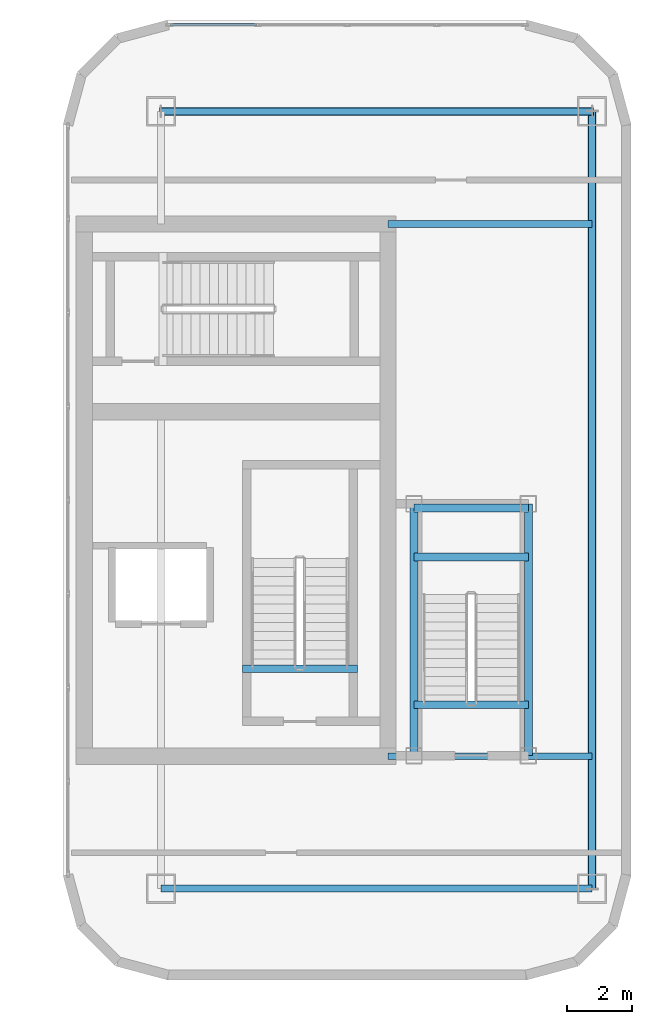
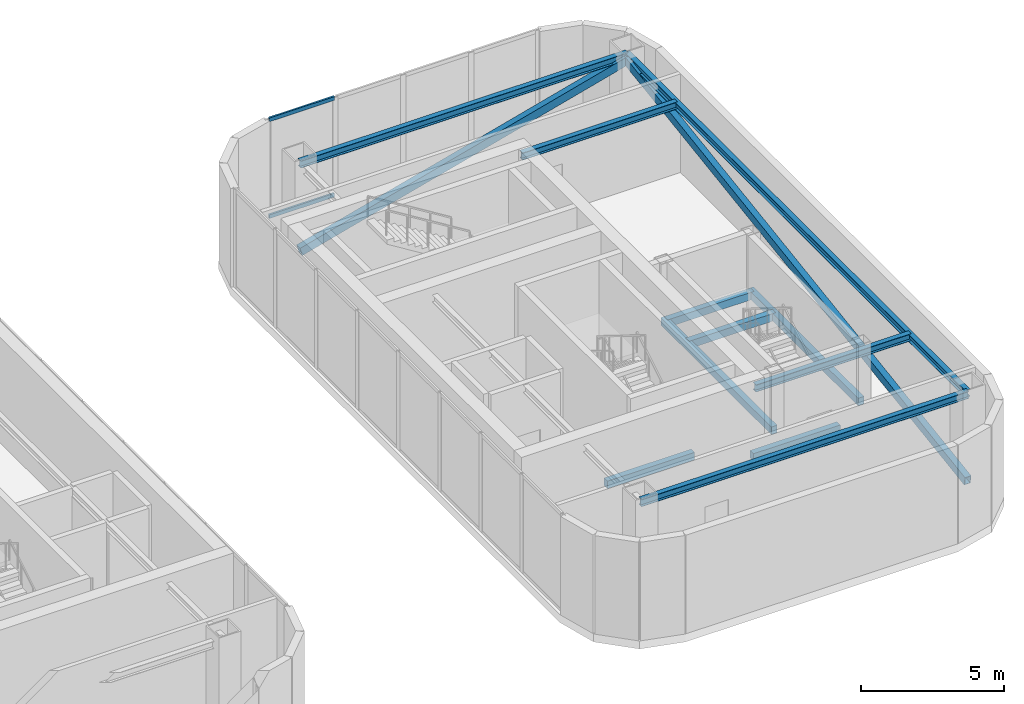
# One storey, part 6 of 14: 11 beams, 4 members, 1 element without a shape of its own.
"""IFC4 building model written with IfcOpenShell, lengths in metres."""

from ifc_helpers import new_model, si_unit, direction, frame, origin, origin_2d, place, context, subcontext, project, spatial, rectangle, hollow_rectangle, i_section, extrude, material, layer, layer_set, material_profile, profile_set, type_object, element, aggregate, save


model = new_model("IFC4")

# Units and contexts
model_context = context("Model", 3, precision=1e-05, world=origin(), true_north=direction((0.0, 1.0)))
body_context = subcontext(model_context, "Body", "Model", "MODEL_VIEW")
ifc_project = project(units=[si_unit("LENGTHUNIT", "METRE"), si_unit("AREAUNIT", "SQUARE_METRE"), si_unit("VOLUMEUNIT", "CUBIC_METRE"), si_unit("PLANEANGLEUNIT", "RADIAN"), si_unit("MASSUNIT", "GRAM", prefix="KILO")], contexts=[model_context])

# Site, building, storey
site_placement = place(None, origin())
site = spatial("IfcSite", under=ifc_project, at=site_placement, CompositionType="ELEMENT")
building_placement = place(site_placement, origin())
building = spatial("IfcBuilding", under=site, at=building_placement, Name="Kiyonajd Concourse Tower", CompositionType="ELEMENT")
storey_placement = place(building_placement, frame((0.0, 0.0, 359.39990234375)))
storey = spatial("IfcBuildingStorey", under=building, at=storey_placement, Name="L90", CompositionType="ELEMENT", Elevation=359.39990234375)

# Beams
ifc_material_1 = material(Name="Steel ASTM A992 Grade 50", Category="steel")
ifc_material_profile_1 = material_profile(ifc_material_1, i_section(OverallWidth=0.2041015625, OverallDepth=0.305908203125, WebThickness=0.008544921875, FlangeThickness=0.0146484375, at=origin_2d()), Name="W310X67")
ifc_profile_set_1 = profile_set([ifc_material_profile_1], Name="Steel ASTM A992 Grade 50")
beam_type_1 = type_object("IfcBeamType", Name="BM-CRN-310", PredefinedType="BEAM", material=ifc_profile_set_1)
beam_1_placement = place(storey_placement, frame((56.39990234375, 23.800048828125, 4.007080078125), z_axis=(1.0, 0.0, 0.0), x_axis=(0.0, 1.0, 0.0)))
element("IfcBeam", 1, at=beam_1_placement, inside=storey, type_object=beam_type_1, Name="L90 E Crown Ring Beam 1", PredefinedType="BEAM", context=body_context, shape_type="SweptSolid", body=[
    extrude(i_section(OverallWidth=0.2041015625, OverallDepth=0.305908203125, WebThickness=0.008544921875, FlangeThickness=0.0146484375, at=origin_2d()), origin(), (0.0, 0.0, 1.0), 13.2001953125),
])
beam_2_placement = place(storey_placement, frame((69.60009765625, 23.800048828125, 4.007080078125), z_axis=(0.0, 1.0, 0.0), x_axis=(-1.0, 0.0, 0.0)))
element("IfcBeam", 2, at=beam_2_placement, inside=storey, type_object=beam_type_1, Name="L90 E Crown Ring Beam 2", PredefinedType="BEAM", context=body_context, shape_type="SweptSolid", body=[
    extrude(i_section(OverallWidth=0.2041015625, OverallDepth=0.305908203125, WebThickness=0.008544921875, FlangeThickness=0.0146484375, at=origin_2d()), origin(), (0.0, 0.0, 1.0), 23.800048828125),
])
beam_3_placement = place(storey_placement, frame((69.60009765625, 47.60009765625, 4.007080078125), z_axis=(-1.0, 0.0, 0.0), x_axis=(0.0, -1.0, 0.0)))
element("IfcBeam", 3, at=beam_3_placement, inside=storey, type_object=beam_type_1, Name="L90 E Crown Ring Beam 3", PredefinedType="BEAM", context=body_context, shape_type="SweptSolid", body=[
    extrude(i_section(OverallWidth=0.2041015625, OverallDepth=0.305908203125, WebThickness=0.008544921875, FlangeThickness=0.0146484375, at=origin_2d()), origin(), (0.0, 0.0, 1.0), 13.2001953125),
])
for number, where, z_axis, x_axis, name in (
    (4, (63.35009765625, 27.85009765625, 4.007080078125), (1.0, 0.0, 0.0), (0.0, 1.0, 0.0), "L90 E Crown Core Tie South"),
    (5, (63.35009765625, 44.14990234375, 4.007080078125), (1.0, 0.0, 0.0), (0.0, 1.0, 0.0), "L90 E Crown Core Tie North"),
):
    element("IfcBeam", number, at=place(storey_placement, frame(where, z_axis=z_axis, x_axis=x_axis)), inside=storey, type_object=beam_type_1, Name=name, PredefinedType="BEAM", context=body_context, shape_type="SweptSolid", body=[
        extrude(i_section(OverallWidth=0.2041015625, OverallDepth=0.305908203125, WebThickness=0.008544921875, FlangeThickness=0.0146484375, at=origin_2d()), origin(), (0.0, 0.0, 1.0), 6.25),
    ])
ifc_material_2 = material(Name="Concrete C50/60", Category="concrete")
ifc_material_profile_2 = material_profile(ifc_material_2, rectangle(XDim=0.239990234375, YDim=0.320068359375, at=origin_2d()), Name="RCBM-240x320")
ifc_profile_set_2 = profile_set([ifc_material_profile_2], Name="Concrete C50/60")
beam_type_2 = type_object("IfcBeamType", Name="BM-LNT-250", PredefinedType="LINTEL", material=ifc_profile_set_2)
beam_4_placement = place(storey_placement, frame((58.889892578125, 30.530029296875, -0.159912109375), z_axis=(1.0, 0.0, 0.0), x_axis=(0.0, 1.0, 0.0)))
element("IfcBeam", 6, at=beam_4_placement, inside=storey, type_object=beam_type_2, Name="L90 Stair ST2 Threshold Support Beam", PredefinedType="LINTEL", context=body_context, shape_type="SweptSolid", body=[
    extrude(rectangle(XDim=0.239990234375, YDim=0.320068359375, at=origin_2d()), origin(), (0.0, 0.0, 1.0), 3.52001953125),
])
for number, where, z_axis, x_axis, name in (
    (7, (64.14990234375, 29.429931640625, -0.159912109375), (1.0, 0.0, 0.0), (0.0, 1.0, 0.0), "L90 Stair ST6 Threshold Support Beam"),
    (8, (64.14990234375, 33.949951171875, 1.89013671875), (1.0, 0.0, 0.0), (0.0, 1.0, 0.0), "L90 Stair ST6 Landing Support Beam"),
    (9, (64.14990234375, 35.449951171875, 1.89013671875), (1.0, 0.0, 0.0), (0.0, 1.0, 0.0), "L90 Stair ST6 Landing Support Beam"),
):
    element("IfcBeam", number, at=place(storey_placement, frame(where, z_axis=z_axis, x_axis=x_axis)), inside=storey, type_object=beam_type_2, Name=name, PredefinedType="LINTEL", context=body_context, shape_type="SweptSolid", body=[
        extrude(rectangle(XDim=0.239990234375, YDim=0.320068359375, at=origin_2d()), origin(), (0.0, 0.0, 1.0), 3.5),
    ])
for number, where, z_axis, x_axis, name in (
    (10, (64.14990234375, 27.8701171875, 1.89013671875), (0.0, 1.0, 0.0), (-1.0, 0.0, 0.0), "L90 Stair ST6 Side Stringer Beam"),
    (11, (67.64990234375, 27.8701171875, 1.89013671875), (0.0, 1.0, 0.0), (-1.0, 0.0, 0.0), "L90 Stair ST6 Side Stringer Beam"),
):
    element("IfcBeam", number, at=place(storey_placement, frame(where, z_axis=z_axis, x_axis=x_axis)), inside=storey, type_object=beam_type_2, Name=name, PredefinedType="LINTEL", context=body_context, shape_type="SweptSolid", body=[
        extrude(rectangle(XDim=0.239990234375, YDim=0.320068359375, at=origin_2d()), origin(), (0.0, 0.0, 1.0), 7.7099609375),
    ])

# Members
ifc_material_3 = material(Name="Steel ASTM A500 Grade C", Category="steel")
ifc_material_profile_3 = material_profile(ifc_material_3, hollow_rectangle(XDim=0.25, YDim=0.35009765625, WallThickness=0.01611328125, at=origin_2d()), Name="HSS-350x250x16")
ifc_profile_set_3 = profile_set([ifc_material_profile_3], Name="Steel ASTM A500 Grade C")
member_type_1 = type_object("IfcMemberType", Name="MB-CRN-BRC", PredefinedType="BRACE", material=ifc_profile_set_3)
member_1_placement = place(storey_placement, frame((56.39990234375, 47.60009765625, 0.300048828125), z_axis=(0.965686426115, 0.0, 0.25971085156), x_axis=(0.0, 1.0, 0.0)))
element("IfcMember", 12, at=member_1_placement, inside=storey, type_object=member_type_1, Name="L90 E Crown Wind Brace 1", PredefinedType="BRACE", context=body_context, shape_type="SweptSolid", body=[
    extrude(hollow_rectangle(XDim=0.25, YDim=0.35009765625, WallThickness=0.01611328125, at=origin_2d()), origin(), (0.0, 0.0, 1.0), 13.669189453125),
])
member_2_placement = place(storey_placement, frame((69.60009765625, 23.800048828125, 0.300048828125), z_axis=(0.0, 0.989057694684, 0.147529239764), x_axis=(-1.0, 0.0, 0.0)))
element("IfcMember", 13, at=member_2_placement, inside=storey, type_object=member_type_1, Name="L90 E Crown Wind Brace 2", PredefinedType="BRACE", context=body_context, shape_type="SweptSolid", body=[
    extrude(hollow_rectangle(XDim=0.25, YDim=0.35009765625, WallThickness=0.01611328125, at=origin_2d()), origin(), (0.0, 0.0, 1.0), 24.0634765625),
])

# Curtain wall, members
ifc_material_4 = material(Name="Thermally Broken Anodised Aluminium", Category="aluminium")
ifc_layer = layer(ifc_material_4, 0.179931640625)
ifc_layer_set = layer_set([ifc_layer], Name="Thermally Broken Anodised Aluminium")
curtain_wall_type = type_object("IfcCurtainWallType", Name="CW-SYS-06", PredefinedType="NOTDEFINED", material=ifc_layer_set)
curtain_wall_placement = place(storey_placement, origin())
curtain_wall = element("IfcCurtainWall", 14, at=curtain_wall_placement, inside=storey, type_object=curtain_wall_type, Name="L90 Unitised Curtain Wall CW6", PredefinedType="NOTDEFINED")
ifc_material_profile_4 = material_profile(ifc_material_4, hollow_rectangle(XDim=0.074951171875, YDim=0.159912109375, WallThickness=0.0048828125, at=origin_2d()), Name="TRAN-75x160")
ifc_profile_set_4 = profile_set([ifc_material_profile_4], Name="Thermally Broken Anodised Aluminium")
member_type_2 = type_object("IfcMemberType", Name="MB-CW-TRAN2", PredefinedType="USERDEFINED", material=ifc_profile_set_4)
member_3_placement = place(storey_placement, frame((56.69482421875, 50.25, 0.03759765625), z_axis=(1.0, 0.0, 0.0), x_axis=(0.0, 1.0, 0.0)))
member_3 = element("IfcMember", 15, at=member_3_placement, type_object=member_type_2, Name="CW6 transom 1.1", ObjectType="TRANSOM", PredefinedType="USERDEFINED", context=body_context, shape_type="SweptSolid", body=[
    extrude(hollow_rectangle(XDim=0.074951171875, YDim=0.159912109375, WallThickness=0.0048828125, at=origin_2d()), origin(), (0.0, 0.0, 1.0), 2.627685546875),
])
member_4_placement = place(storey_placement, frame((56.69482421875, 50.25, 4.16259765625), z_axis=(1.0, 0.0, 0.0), x_axis=(0.0, 1.0, 0.0)))
member_4 = element("IfcMember", 16, at=member_4_placement, type_object=member_type_2, Name="CW6 transom 1.2", ObjectType="TRANSOM", PredefinedType="USERDEFINED", context=body_context, shape_type="SweptSolid", body=[
    extrude(hollow_rectangle(XDim=0.074951171875, YDim=0.159912109375, WallThickness=0.0048828125, at=origin_2d()), origin(), (0.0, 0.0, 1.0), 2.627685546875),
])
aggregate(curtain_wall, [member_3, member_4])

save(model, "model.ifc")
